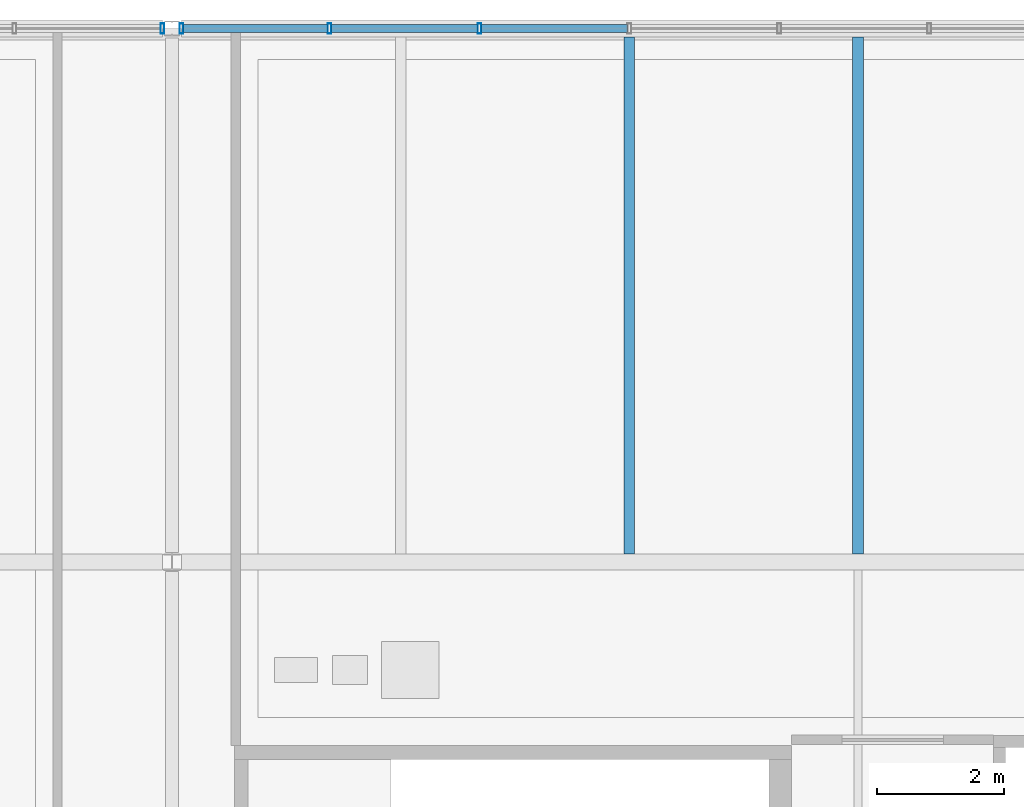
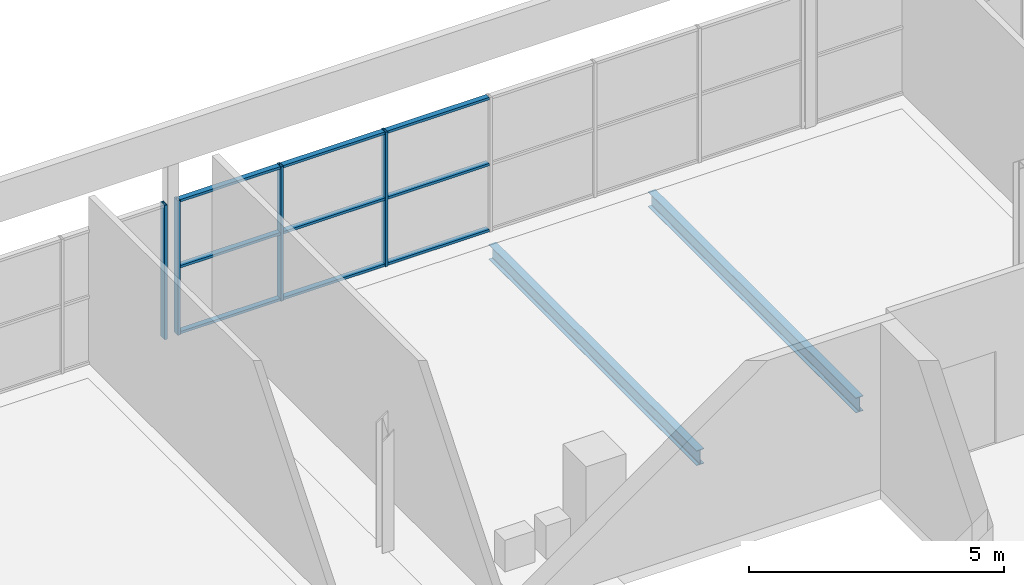
# One storey, part 29 of 43: 13 members, 2 beams, 2 elements without a shape of their own.
"""IFC4 building model written with IfcOpenShell, lengths in metres."""

from ifc_helpers import new_model, si_unit, direction, frame, origin, origin_2d, place, context, subcontext, project, spatial, hollow_rectangle, i_section, extrude, material, material_profile, profile_set, type_object, element, aggregate, save


model = new_model("IFC4")

# Units and contexts
model_context = context("Model", 3, precision=1e-05, world=origin(), true_north=direction((0.0, 1.0)))
body_context = subcontext(model_context, "Body", "Model", "MODEL_VIEW")
ifc_project = project(units=[si_unit("LENGTHUNIT", "METRE"), si_unit("AREAUNIT", "SQUARE_METRE"), si_unit("VOLUMEUNIT", "CUBIC_METRE"), si_unit("PLANEANGLEUNIT", "RADIAN"), si_unit("MASSUNIT", "GRAM", prefix="KILO"), si_unit("THERMODYNAMICTEMPERATUREUNIT", "KELVIN")], contexts=[model_context])

# Site, building, storey
site_placement = place(None, origin())
site = spatial("IfcSite", under=ifc_project, at=site_placement, CompositionType="ELEMENT")
building_placement = place(site_placement, origin())
building = spatial("IfcBuilding", under=site, at=building_placement, Name="Nduvali Passage Aquatics Centre", CompositionType="ELEMENT")
storey_placement = place(building_placement, frame((0.0, 0.0, 17.39990234375)))
storey = spatial("IfcBuildingStorey", under=building, at=storey_placement, Name="L04", CompositionType="ELEMENT", Elevation=17.39990234375)

# Curtain wall, member
ifc_material_1 = material(Name="Aluminium EN AW-6063 T6", Category="aluminium")
curtain_wall_type = type_object("IfcCurtainWallType", Name="ENV-CW-WELL", PredefinedType="NOTDEFINED", material=ifc_material_1)
curtain_wall_1_placement = place(storey_placement, origin())
curtain_wall_1 = element("IfcCurtainWall", 1, at=curtain_wall_1_placement, inside=storey, type_object=curtain_wall_type, Name="L04 North Avenue Recovery Lounge CW 111", PredefinedType="NOTDEFINED")
ifc_material_profile_1 = material_profile(ifc_material_1, hollow_rectangle(XDim=0.06005859375, YDim=0.159912109375, WallThickness=0.00390625, at=origin_2d()), Name="ALU MULLION 60x160x4")
ifc_profile_set_1 = profile_set([ifc_material_profile_1], Name="Aluminium EN AW-6063 T6")
member_type_1 = type_object("IfcMemberType", Name="ENV-MEM-MUL60", PredefinedType="MULLION", material=ifc_profile_set_1)
member_1_placement = place(storey_placement, frame((97.050048828125, 117.60009765625, 0.0), z_axis=(0.0, 0.0, 1.0), x_axis=(1.0, 0.0, 0.0)))
member_1 = element("IfcMember", 2, at=member_1_placement, type_object=member_type_1, Name="North Avenue Recovery Lounge CW Mullion 7", PredefinedType="MULLION", context=body_context, shape_type="SweptSolid", body=[
    extrude(hollow_rectangle(XDim=0.06005859375, YDim=0.159912109375, WallThickness=0.00390625, at=origin_2d()), origin(), (0.0, 0.0, 1.0), 3.2138671875),
])
aggregate(curtain_wall_1, [member_1])

# Curtain wall, members
curtain_wall_2_placement = place(storey_placement, origin())
curtain_wall_2 = element("IfcCurtainWall", 3, at=curtain_wall_2_placement, inside=storey, type_object=curtain_wall_type, Name="L04 North Avenue Recovery Lounge CW 115", PredefinedType="NOTDEFINED")
member_2_placement = place(storey_placement, frame((97.35009765625, 117.60009765625, 0.0), z_axis=(0.0, 0.0, 1.0), x_axis=(1.0, 0.0, 0.0)))
member_2 = element("IfcMember", 4, at=member_2_placement, type_object=member_type_1, Name="North Avenue Recovery Lounge CW Mullion 1", PredefinedType="MULLION", context=body_context, shape_type="SweptSolid", body=[
    extrude(hollow_rectangle(XDim=0.06005859375, YDim=0.159912109375, WallThickness=0.00390625, at=origin_2d()), origin(), (0.0, 0.0, 1.0), 3.2138671875),
])
member_3_placement = place(storey_placement, frame((99.679931640625, 117.60009765625, 0.0), z_axis=(0.0, 0.0, 1.0), x_axis=(1.0, 0.0, 0.0)))
member_3 = element("IfcMember", 5, at=member_3_placement, type_object=member_type_1, Name="North Avenue Recovery Lounge CW Mullion 2", PredefinedType="MULLION", context=body_context, shape_type="SweptSolid", body=[
    extrude(hollow_rectangle(XDim=0.06005859375, YDim=0.159912109375, WallThickness=0.00390625, at=origin_2d()), origin(), (0.0, 0.0, 1.0), 3.2138671875),
])
member_4_placement = place(storey_placement, frame((102.0400390625, 117.60009765625, 0.0), z_axis=(0.0, 0.0, 1.0), x_axis=(1.0, 0.0, 0.0)))
member_4 = element("IfcMember", 6, at=member_4_placement, type_object=member_type_1, Name="North Avenue Recovery Lounge CW Mullion 3", PredefinedType="MULLION", context=body_context, shape_type="SweptSolid", body=[
    extrude(hollow_rectangle(XDim=0.06005859375, YDim=0.159912109375, WallThickness=0.00390625, at=origin_2d()), origin(), (0.0, 0.0, 1.0), 3.2138671875),
])
ifc_material_profile_2 = material_profile(ifc_material_1, hollow_rectangle(XDim=0.1201171875, YDim=0.06005859375, WallThickness=0.00390625, at=origin_2d()), Name="ALU TRANSOM 120x60x4")
ifc_profile_set_2 = profile_set([ifc_material_profile_2], Name="Aluminium EN AW-6063 T6")
member_type_2 = type_object("IfcMemberType", Name="ENV-MEM-TRN60", PredefinedType="USERDEFINED", material=ifc_profile_set_2)
member_5_placement = place(storey_placement, frame((97.3798828125, 117.60009765625, 0.030029296875), z_axis=(1.0, 0.0, 0.0), x_axis=(0.0, 1.0, 0.0)))
member_5 = element("IfcMember", 7, at=member_5_placement, type_object=member_type_2, Name="North Avenue Recovery Lounge CW Transom B1-R0", ObjectType="TRANSOM", PredefinedType="USERDEFINED", context=body_context, shape_type="SweptSolid", body=[
    extrude(hollow_rectangle(XDim=0.1201171875, YDim=0.06005859375, WallThickness=0.00390625, at=origin_2d()), origin(), (0.0, 0.0, 1.0), 2.27001953125),
])
member_6_placement = place(storey_placement, frame((97.3798828125, 117.60009765625, 1.60693359375), z_axis=(1.0, 0.0, 0.0), x_axis=(0.0, 1.0, 0.0)))
member_6 = element("IfcMember", 8, at=member_6_placement, type_object=member_type_2, Name="North Avenue Recovery Lounge CW Transom B1-R1", ObjectType="TRANSOM", PredefinedType="USERDEFINED", context=body_context, shape_type="SweptSolid", body=[
    extrude(hollow_rectangle(XDim=0.1201171875, YDim=0.06005859375, WallThickness=0.00390625, at=origin_2d()), origin(), (0.0, 0.0, 1.0), 2.27001953125),
])
member_7_placement = place(storey_placement, frame((97.3798828125, 117.60009765625, 3.183837890625), z_axis=(1.0, 0.0, 0.0), x_axis=(0.0, 1.0, 0.0)))
member_7 = element("IfcMember", 9, at=member_7_placement, type_object=member_type_2, Name="North Avenue Recovery Lounge CW Transom B1-R2", ObjectType="TRANSOM", PredefinedType="USERDEFINED", context=body_context, shape_type="SweptSolid", body=[
    extrude(hollow_rectangle(XDim=0.1201171875, YDim=0.06005859375, WallThickness=0.00390625, at=origin_2d()), origin(), (0.0, 0.0, 1.0), 2.27001953125),
])
member_8_placement = place(storey_placement, frame((99.7099609375, 117.60009765625, 0.030029296875), z_axis=(1.0, 0.0, 0.0), x_axis=(0.0, 1.0, 0.0)))
member_8 = element("IfcMember", 10, at=member_8_placement, type_object=member_type_2, Name="North Avenue Recovery Lounge CW Transom B2-R0", ObjectType="TRANSOM", PredefinedType="USERDEFINED", context=body_context, shape_type="SweptSolid", body=[
    extrude(hollow_rectangle(XDim=0.1201171875, YDim=0.06005859375, WallThickness=0.00390625, at=origin_2d()), origin(), (0.0, 0.0, 1.0), 2.300048828125),
])
member_9_placement = place(storey_placement, frame((99.7099609375, 117.60009765625, 1.60693359375), z_axis=(1.0, 0.0, 0.0), x_axis=(0.0, 1.0, 0.0)))
member_9 = element("IfcMember", 11, at=member_9_placement, type_object=member_type_2, Name="North Avenue Recovery Lounge CW Transom B2-R1", ObjectType="TRANSOM", PredefinedType="USERDEFINED", context=body_context, shape_type="SweptSolid", body=[
    extrude(hollow_rectangle(XDim=0.1201171875, YDim=0.06005859375, WallThickness=0.00390625, at=origin_2d()), origin(), (0.0, 0.0, 1.0), 2.300048828125),
])
member_10_placement = place(storey_placement, frame((99.7099609375, 117.60009765625, 3.183837890625), z_axis=(1.0, 0.0, 0.0), x_axis=(0.0, 1.0, 0.0)))
member_10 = element("IfcMember", 12, at=member_10_placement, type_object=member_type_2, Name="North Avenue Recovery Lounge CW Transom B2-R2", ObjectType="TRANSOM", PredefinedType="USERDEFINED", context=body_context, shape_type="SweptSolid", body=[
    extrude(hollow_rectangle(XDim=0.1201171875, YDim=0.06005859375, WallThickness=0.00390625, at=origin_2d()), origin(), (0.0, 0.0, 1.0), 2.300048828125),
])
member_11_placement = place(storey_placement, frame((102.070068359375, 117.60009765625, 0.030029296875), z_axis=(1.0, 0.0, 0.0), x_axis=(0.0, 1.0, 0.0)))
member_11 = element("IfcMember", 13, at=member_11_placement, type_object=member_type_2, Name="North Avenue Recovery Lounge CW Transom B3-R0", ObjectType="TRANSOM", PredefinedType="USERDEFINED", context=body_context, shape_type="SweptSolid", body=[
    extrude(hollow_rectangle(XDim=0.1201171875, YDim=0.06005859375, WallThickness=0.00390625, at=origin_2d()), origin(), (0.0, 0.0, 1.0), 2.300048828125),
])
member_12_placement = place(storey_placement, frame((102.070068359375, 117.60009765625, 1.60693359375), z_axis=(1.0, 0.0, 0.0), x_axis=(0.0, 1.0, 0.0)))
member_12 = element("IfcMember", 14, at=member_12_placement, type_object=member_type_2, Name="North Avenue Recovery Lounge CW Transom B3-R1", ObjectType="TRANSOM", PredefinedType="USERDEFINED", context=body_context, shape_type="SweptSolid", body=[
    extrude(hollow_rectangle(XDim=0.1201171875, YDim=0.06005859375, WallThickness=0.00390625, at=origin_2d()), origin(), (0.0, 0.0, 1.0), 2.300048828125),
])
member_13_placement = place(storey_placement, frame((102.070068359375, 117.60009765625, 3.183837890625), z_axis=(1.0, 0.0, 0.0), x_axis=(0.0, 1.0, 0.0)))
member_13 = element("IfcMember", 15, at=member_13_placement, type_object=member_type_2, Name="North Avenue Recovery Lounge CW Transom B3-R2", ObjectType="TRANSOM", PredefinedType="USERDEFINED", context=body_context, shape_type="SweptSolid", body=[
    extrude(hollow_rectangle(XDim=0.1201171875, YDim=0.06005859375, WallThickness=0.00390625, at=origin_2d()), origin(), (0.0, 0.0, 1.0), 2.300048828125),
])
aggregate(curtain_wall_2, [member_2, member_3, member_4, member_5, member_6, member_7, member_8, member_9, member_10, member_11, member_12, member_13])

# Beams
ifc_material_2 = material(Name="Steel S355", Category="steel")
ifc_material_profile_3 = material_profile(ifc_material_2, i_section(OverallWidth=0.169921875, OverallDepth=0.360107421875, WebThickness=0.008056640625, FlangeThickness=0.0126953125, FilletRadius=0.01806640625, at=origin_2d()), Name="IPE 360")
ifc_profile_set_3 = profile_set([ifc_material_profile_3], Name="Steel S355")
beam_type = type_object("IfcBeamType", Name="STR-JST-IPE360", PredefinedType="JOIST", material=ifc_profile_set_3)
for number, where, z_axis, x_axis, name in (
    (16, (104.39990234375, 109.326904296875, -0.413818359375), (0.0, 1.0, 0.0), (-1.0, 0.0, 0.0), "L04 Secondary Joist J6-1435"),
    (17, (108.0, 109.326904296875, -0.413818359375), (0.0, 1.0, 0.0), (-1.0, 0.0, 0.0), "L04 Secondary Joist J6-1436"),
):
    element("IfcBeam", number, at=place(storey_placement, frame(where, z_axis=z_axis, x_axis=x_axis)), inside=storey, type_object=beam_type, Name=name, PredefinedType="JOIST", context=body_context, shape_type="SweptSolid", body=[
        extrude(i_section(OverallWidth=0.169921875, OverallDepth=0.360107421875, WebThickness=0.008056640625, FlangeThickness=0.0126953125, FilletRadius=0.01806640625, at=origin_2d()), origin(), (0.0, 0.0, 1.0), 8.139892578125),
    ])

save(model, "model.ifc")
